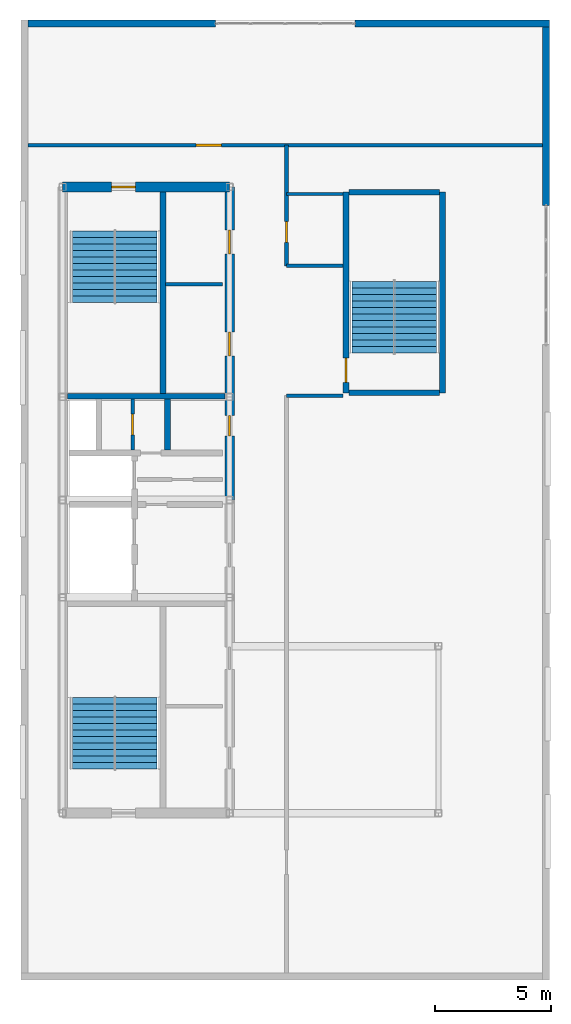
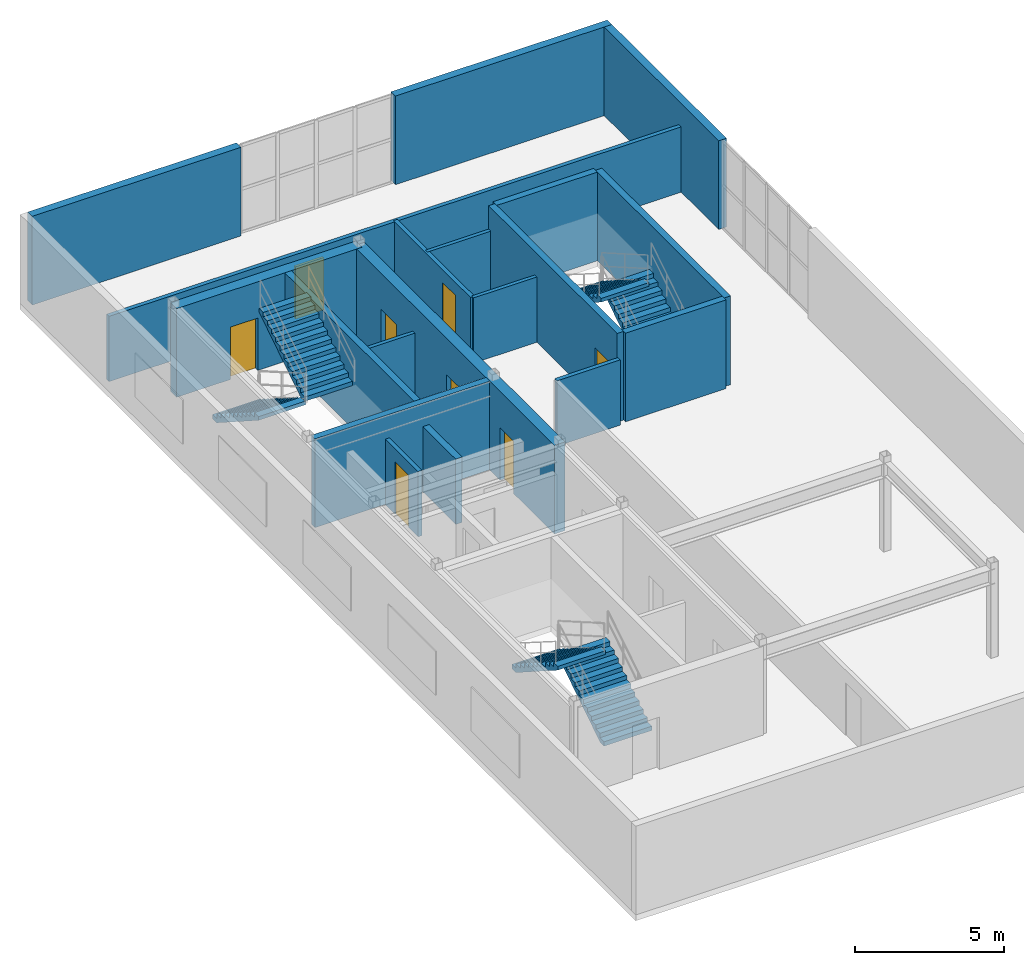
# One storey, part 6 of 7: 19 walls, 8 doors, 6 stair flights, 8 openings, 3 elements without a shape of their own.
"""IFC4 building model written with IfcOpenShell, lengths in metres."""

from ifc_helpers import new_model, entity, si_unit, converted_unit, direction, frame, origin_with_axes, origin_2d_with_axis, place, context, subcontext, project, spatial, polyline, rectangle, outline, extrude, material, layer, layer_set, type_object, element, fill, aggregate, save


model = new_model("IFC4")

# Units and contexts
model_context = context("Model", 3, precision=1e-05, world=origin_with_axes(), true_north=direction((0.0, 1.0)))
body_context = subcontext(model_context, "Body", "Model", "MODEL_VIEW")
ifc_project = project(units=[si_unit("LENGTHUNIT", "METRE"), si_unit("AREAUNIT", "SQUARE_METRE"), si_unit("VOLUMEUNIT", "CUBIC_METRE"), converted_unit("PLANEANGLEUNIT", "DEGREE", entity("IfcPlaneAngleMeasure", 0.017453292519943295), si_unit("PLANEANGLEUNIT", "RADIAN"), dimensions=[0, 0, 0, 0, 0, 0, 0]), si_unit("MASSUNIT", "GRAM", prefix="KILO"), si_unit("THERMODYNAMICTEMPERATUREUNIT", "KELVIN")], contexts=[model_context])

# Site, building, storey
site_placement = place(None, origin_with_axes())
site = spatial("IfcSite", under=ifc_project, at=site_placement, CompositionType="ELEMENT")
building_placement = place(site_placement, origin_with_axes())
building = spatial("IfcBuilding", under=site, at=building_placement, Name="Varnlund Millrace Tower", CompositionType="ELEMENT")
storey_placement = place(building_placement, frame((0.0, 0.0, 312.6), z_axis=(0.0, 0.0, 1.0), x_axis=(1.0, 0.0, 0.0)))
storey = spatial("IfcBuildingStorey", under=building, at=storey_placement, Name="L77", CompositionType="ELEMENT", Elevation=312.6)

# Wall, opening, door
ifc_material_1 = material(Name="Concrete C60/75", Category="concrete")
ifc_layer_1 = layer(ifc_material_1, 0.42, Name="Concrete C60/75")
ifc_layer_set_1 = layer_set([ifc_layer_1], Name="Concrete C60/75")
wall_type_1 = type_object("IfcWallType", Name="Type-CoreWall-Shear-420-C60", PredefinedType="SHEAR", material=ifc_layer_set_1)
wall_1_placement = place(storey_placement, frame((11.4, 37.8, 0.0), z_axis=(0.0, 0.0, 1.0), x_axis=(1.0, 0.0, 0.0)))
wall_1 = element("IfcWall", 1, at=wall_1_placement, inside=storey, type_object=wall_type_1, Name="Type-CoreWall-Shear-420-C60", PredefinedType="SHEAR", context=body_context, shape_type="SweptSolid", body=[
    extrude(outline(polyline([(0.0, -0.21), (7.2, -0.21), (7.2, 0.21), (0.0, 0.21), (0.0, -0.21)])), origin_with_axes(), (0.0, 0.0, 1.0), 3.64),
])
opening_1_placement = place(wall_1_placement, frame((2.625, 0.0, 0.0), z_axis=(0.0, 0.0, 1.0), x_axis=(1.0, 0.0, 0.0)))
opening_1 = element("IfcOpeningElement", 2, at=opening_1_placement, cuts=wall_1, Name="Opening L77:DR-STA2", PredefinedType="OPENING", context=body_context, shape_type="SweptSolid", body=[
    extrude(rectangle(XDim=1.05, YDim=0.44, at=origin_2d_with_axis()), origin_with_axes(), (0.0, 0.0, 1.0), 2.15),
])
ifc_material_2 = material(Name="Fire-rated hollow steel door", Category="steel")
door_type_1 = type_object("IfcDoorType", Name="Type-FireDoor-Stair-1050X2150", OperationType="NOTDEFINED", PredefinedType="DOOR", material=ifc_material_2)
door_1_placement = place(wall_1_placement, frame((2.625, 0.0, 0.0), z_axis=(0.0, 0.0, 1.0), x_axis=(1.0, 0.0, 0.0)))
door_1 = element("IfcDoor", 3, at=door_1_placement, inside=storey, type_object=door_type_1, Name="Type-FireDoor-Stair-1050X2150", OperationType="SINGLE_SWING_RIGHT", OverallHeight=2.15, OverallWidth=1.05, PredefinedType="DOOR", context=body_context, shape_type="SweptSolid", body=[
    extrude(rectangle(XDim=1.05, YDim=0.09, at=origin_2d_with_axis()), origin_with_axes(), (0.0, 0.0, 1.0), 2.15),
])
fill(opening_1, door_1)

# Wall, openings, doors
wall_2_placement = place(storey_placement, frame((18.6, 24.3, 0.0), z_axis=(0.0, 0.0, 1.0), x_axis=(0.0, 1.0, 0.0)))
wall_2 = element("IfcWall", 4, at=wall_2_placement, inside=storey, type_object=wall_type_1, Name="Type-CoreWall-Shear-420-C60", PredefinedType="SHEAR", context=body_context, shape_type="SweptSolid", body=[
    extrude(outline(polyline([(0.0, -0.21), (13.5, -0.21), (13.5, 0.21), (0.0, 0.21), (0.0, -0.21)])), origin_with_axes(), (0.0, 0.0, 1.0), 3.64),
])
opening_2_placement = place(wall_2_placement, frame((3.2, 0.0, 0.0), z_axis=(0.0, 0.0, 1.0), x_axis=(1.0, 0.0, 0.0)))
opening_2 = element("IfcOpeningElement", 5, at=opening_2_placement, cuts=wall_2, Name="Opening L77:DR-ROB", PredefinedType="OPENING", context=body_context, shape_type="SweptSolid", body=[
    extrude(rectangle(XDim=0.9, YDim=0.44, at=origin_2d_with_axis()), origin_with_axes(), (0.0, 0.0, 1.0), 2.15),
])
opening_3_placement = place(wall_2_placement, frame((6.725, 0.0, 0.0), z_axis=(0.0, 0.0, 1.0), x_axis=(1.0, 0.0, 0.0)))
opening_3 = element("IfcOpeningElement", 6, at=opening_3_placement, cuts=wall_2, Name="Opening L77:DR-RECL-M1", PredefinedType="OPENING", context=body_context, shape_type="SweptSolid", body=[
    extrude(rectangle(XDim=1.05, YDim=0.44, at=origin_2d_with_axis()), origin_with_axes(), (0.0, 0.0, 1.0), 2.15),
])
opening_4_placement = place(wall_2_placement, frame((11.125, 0.0, 0.0), z_axis=(0.0, 0.0, 1.0), x_axis=(1.0, 0.0, 0.0)))
opening_4 = element("IfcOpeningElement", 7, at=opening_4_placement, cuts=wall_2, Name="Opening L77:DR-RECL-M2", PredefinedType="OPENING", context=body_context, shape_type="SweptSolid", body=[
    extrude(rectangle(XDim=1.05, YDim=0.44, at=origin_2d_with_axis()), origin_with_axes(), (0.0, 0.0, 1.0), 2.15),
])
ifc_material_3 = material(Name="Fire-rated hollow steel service closet door", Category="steel")
door_type_2 = type_object("IfcDoorType", Name="Type-FireDoor-Closet-900X2150", OperationType="NOTDEFINED", PredefinedType="DOOR", material=ifc_material_3)
door_2_placement = place(wall_2_placement, frame((3.2, 0.0, 0.0), z_axis=(0.0, 0.0, 1.0), x_axis=(1.0, 0.0, 0.0)))
door_2 = element("IfcDoor", 8, at=door_2_placement, inside=storey, type_object=door_type_2, Name="Type-FireDoor-Closet-900X2150", OperationType="SINGLE_SWING_RIGHT", OverallHeight=2.15, OverallWidth=0.9, PredefinedType="DOOR", context=body_context, shape_type="SweptSolid", body=[
    extrude(rectangle(XDim=0.9, YDim=0.09, at=origin_2d_with_axis()), origin_with_axes(), (0.0, 0.0, 1.0), 2.15),
])
fill(opening_2, door_2)
ifc_material_4 = material(Name="Smoke-barrier hollow steel fire door", Category="steel")
door_type_3 = type_object("IfcDoorType", Name="Type-FireDoor-Lobby-1050X2150", OperationType="NOTDEFINED", PredefinedType="DOOR", material=ifc_material_4)
door_3_placement = place(wall_2_placement, frame((6.725, 0.0, 0.0), z_axis=(0.0, 0.0, 1.0), x_axis=(1.0, 0.0, 0.0)))
door_3 = element("IfcDoor", 9, at=door_3_placement, inside=storey, type_object=door_type_3, Name="Type-FireDoor-Lobby-1050X2150", OperationType="SINGLE_SWING_LEFT", OverallHeight=2.15, OverallWidth=1.05, PredefinedType="DOOR", context=body_context, shape_type="SweptSolid", body=[
    extrude(rectangle(XDim=1.05, YDim=0.09, at=origin_2d_with_axis()), origin_with_axes(), (0.0, 0.0, 1.0), 2.15),
])
fill(opening_3, door_3)
door_4_placement = place(wall_2_placement, frame((11.125, 0.0, 0.0), z_axis=(0.0, 0.0, 1.0), x_axis=(1.0, 0.0, 0.0)))
door_4 = element("IfcDoor", 10, at=door_4_placement, inside=storey, type_object=door_type_3, Name="Type-FireDoor-Lobby-1050X2150", OperationType="SINGLE_SWING_RIGHT", OverallHeight=2.15, OverallWidth=1.05, PredefinedType="DOOR", context=body_context, shape_type="SweptSolid", body=[
    extrude(rectangle(XDim=1.05, YDim=0.09, at=origin_2d_with_axis()), origin_with_axes(), (0.0, 0.0, 1.0), 2.15),
])
fill(opening_4, door_4)

# Walls
ifc_material_5 = material(Name="Precast concrete C50/60", Category="concrete")
ifc_layer_2 = layer(ifc_material_5, 0.3, Name="Precast concrete C50/60")
ifc_layer_set_2 = layer_set([ifc_layer_2], Name="Precast concrete C50/60")
wall_type_2 = type_object("IfcWallType", Name="Type-ExtWall-Precast-Crown-300", PredefinedType="SOLIDWALL", material=ifc_layer_set_2)
wall_3_placement = place(storey_placement, frame((9.9, 44.85, 0.0), z_axis=(0.0, 0.0, 1.0), x_axis=(1.0, 0.0, 0.0)))
element("IfcWall", 11, at=wall_3_placement, inside=storey, type_object=wall_type_2, Name="Type-ExtWall-Precast-Crown-300", PredefinedType="SOLIDWALL", context=body_context, shape_type="SweptSolid", body=[
    extrude(outline(polyline([(0.0, -0.15), (8.1, -0.15), (8.1, 0.15), (0.0, 0.15), (0.0, -0.15)])), origin_with_axes(), (0.0, 0.0, 1.0), 3.64),
])
wall_4_placement = place(storey_placement, frame((24.0, 44.85, 0.0), z_axis=(0.0, 0.0, 1.0), x_axis=(1.0, 0.0, 0.0)))
element("IfcWall", 12, at=wall_4_placement, inside=storey, type_object=wall_type_2, Name="Type-ExtWall-Precast-Crown-300", PredefinedType="SOLIDWALL", context=body_context, shape_type="SweptSolid", body=[
    extrude(outline(polyline([(0.0, -0.15), (8.4, -0.15), (8.4, 0.15), (0.0, 0.15), (0.0, -0.15)])), origin_with_axes(), (0.0, 0.0, 1.0), 3.64),
])
wall_5_placement = place(storey_placement, frame((32.25, 44.7, 0.0), z_axis=(0.0, 0.0, 1.0), x_axis=(0.0, -1.0, 0.0)))
element("IfcWall", 13, at=wall_5_placement, inside=storey, type_object=wall_type_2, Name="Type-ExtWall-Precast-Crown-300", PredefinedType="SOLIDWALL", context=body_context, shape_type="SweptSolid", body=[
    extrude(outline(polyline([(0.0, -0.15), (7.7, -0.15), (7.7, 0.15), (0.0, 0.15), (0.0, -0.15)])), origin_with_axes(), (0.0, 0.0, 1.0), 3.64),
])

# Wall, opening, door
ifc_material_6 = material(Name="Fire-rated gypsum board on cold-formed steel framing", Category="steel")
ifc_layer_3 = layer(ifc_material_6, 0.16, Name="Fire-rated gypsum board on cold-formed steel framing")
ifc_layer_set_3 = layer_set([ifc_layer_3], Name="Fire-rated gypsum board on cold-formed steel framing")
wall_type_3 = type_object("IfcWallType", Name="Type-Partition-Corridor-160", PredefinedType="PARTITIONING", material=ifc_layer_set_3)
wall_6_placement = place(storey_placement, frame((14.42, 26.45, 0.0), z_axis=(0.0, 0.0, 1.0), x_axis=(0.0, 1.0, 0.0)))
wall_6 = element("IfcWall", 14, at=wall_6_placement, inside=storey, type_object=wall_type_3, Name="Type-Partition-Corridor-160", PredefinedType="PARTITIONING", context=body_context, shape_type="SweptSolid", body=[
    extrude(outline(polyline([(0.0, -0.08), (2.2, -0.08), (2.2, 0.08), (0.0, 0.08), (0.0, -0.08)])), origin_with_axes(), (0.0, 0.0, 1.0), 2.68),
])
opening_5_placement = place(wall_6_placement, frame((1.1, 0.0, 0.0), z_axis=(0.0, 0.0, 1.0), x_axis=(1.0, 0.0, 0.0)))
opening_5 = element("IfcOpeningElement", 15, at=opening_5_placement, cuts=wall_6, Name="Opening L77:DR-CA-EL2", PredefinedType="OPENING", context=body_context, shape_type="SweptSolid", body=[
    extrude(rectangle(XDim=0.9, YDim=0.18, at=origin_2d_with_axis()), origin_with_axes(), (0.0, 0.0, 1.0), 2.15),
])
ifc_material_7 = material(Name="Painted steel riser and closet door", Category="steel")
door_type_4 = type_object("IfcDoorType", Name="Type-IntDoor-Closet-900X2150", OperationType="NOTDEFINED", PredefinedType="DOOR", material=ifc_material_7)
door_5_placement = place(wall_6_placement, frame((1.1, 0.0, 0.0), z_axis=(0.0, 0.0, 1.0), x_axis=(1.0, 0.0, 0.0)))
door_5 = element("IfcDoor", 16, at=door_5_placement, inside=storey, type_object=door_type_4, Name="Type-IntDoor-Closet-900X2150", OperationType="SINGLE_SWING_LEFT", OverallHeight=2.15, OverallWidth=0.9, PredefinedType="DOOR", context=body_context, shape_type="SweptSolid", body=[
    extrude(rectangle(XDim=0.9, YDim=0.09, at=origin_2d_with_axis()), origin_with_axes(), (0.0, 0.0, 1.0), 2.15),
])
fill(opening_5, door_5)

wall_7_placement = place(storey_placement, frame((21.05, 34.4, 0.0), z_axis=(0.0, 0.0, 1.0), x_axis=(0.0, 1.0, 0.0)))
wall_7 = element("IfcWall", 17, at=wall_7_placement, inside=storey, type_object=wall_type_3, Name="Type-Partition-Corridor-160", PredefinedType="PARTITIONING", context=body_context, shape_type="SweptSolid", body=[
    extrude(outline(polyline([(0.0, -0.08), (5.2, -0.08), (5.2, 0.08), (0.0, 0.08), (0.0, -0.08)])), origin_with_axes(), (0.0, 0.0, 1.0), 2.68),
])
opening_6_placement = place(wall_7_placement, frame((1.45, 0.0, 0.0), z_axis=(0.0, 0.0, 1.0), x_axis=(1.0, 0.0, 0.0)))
opening_6 = element("IfcOpeningElement", 18, at=opening_6_placement, cuts=wall_7, Name="Opening L77:DR-CRN-WC", PredefinedType="OPENING", context=body_context, shape_type="SweptSolid", body=[
    extrude(rectangle(XDim=0.9, YDim=0.18, at=origin_2d_with_axis()), origin_with_axes(), (0.0, 0.0, 1.0), 2.15),
])
door_6_placement = place(wall_7_placement, frame((1.45, 0.0, 0.0), z_axis=(0.0, 0.0, 1.0), x_axis=(1.0, 0.0, 0.0)))
door_6 = element("IfcDoor", 19, at=door_6_placement, inside=storey, type_object=door_type_4, Name="Type-IntDoor-Closet-900X2150", OperationType="SINGLE_SWING_LEFT", OverallHeight=2.15, OverallWidth=0.9, PredefinedType="DOOR", context=body_context, shape_type="SweptSolid", body=[
    extrude(rectangle(XDim=0.9, YDim=0.09, at=origin_2d_with_axis()), origin_with_axes(), (0.0, 0.0, 1.0), 2.15),
])
fill(opening_6, door_6)

# Wall
wall_8_placement = place(storey_placement, frame((21.05, 28.8, 0.0), z_axis=(0.0, 0.0, 1.0), x_axis=(1.0, 0.0, 0.0)))
element("IfcWall", 20, at=wall_8_placement, inside=storey, type_object=wall_type_3, Name="Type-Partition-Corridor-160", PredefinedType="PARTITIONING", context=body_context, shape_type="SweptSolid", body=[
    extrude(outline(polyline([(0.0, -0.08), (2.45, -0.08), (2.45, 0.08), (0.0, 0.08), (0.0, -0.08)])), origin_with_axes(), (0.0, 0.0, 1.0), 2.68),
])

# Wall, opening, door
wall_9_placement = place(storey_placement, frame((9.895, 39.6, 0.0), z_axis=(0.0, 0.0, 1.0), x_axis=(1.0, 0.0, 0.0)))
wall_9 = element("IfcWall", 21, at=wall_9_placement, inside=storey, type_object=wall_type_3, Name="Type-Partition-Corridor-160", PredefinedType="PARTITIONING", context=body_context, shape_type="SweptSolid", body=[
    extrude(outline(polyline([(0.0, -0.08), (22.21, -0.08), (22.21, 0.08), (0.0, 0.08), (0.0, -0.08)])), origin_with_axes(), (0.0, 0.0, 1.0), 2.68),
])
opening_7_placement = place(wall_9_placement, frame((7.805, 0.0, 0.0), z_axis=(0.0, 0.0, 1.0), x_axis=(1.0, 0.0, 0.0)))
opening_7 = element("IfcOpeningElement", 22, at=opening_7_placement, cuts=wall_9, Name="Opening L77:DR-CRN-SWG", PredefinedType="OPENING", context=body_context, shape_type="SweptSolid", body=[
    extrude(rectangle(XDim=1.1, YDim=0.18, at=origin_2d_with_axis()), origin_with_axes(), (0.0, 0.0, 1.0), 2.15),
])
ifc_material_8 = material(Name="Fire-rated mechanical room steel door", Category="steel")
door_type_5 = type_object("IfcDoorType", Name="Type-FireDoor-Plant-1100X2150", OperationType="NOTDEFINED", PredefinedType="DOOR", material=ifc_material_8)
door_7_placement = place(wall_9_placement, frame((7.805, 0.0, 0.0), z_axis=(0.0, 0.0, 1.0), x_axis=(1.0, 0.0, 0.0)))
door_7 = element("IfcDoor", 23, at=door_7_placement, inside=storey, type_object=door_type_5, Name="Type-FireDoor-Plant-1100X2150", OperationType="SINGLE_SWING_LEFT", OverallHeight=2.15, OverallWidth=1.1, PredefinedType="DOOR", context=body_context, shape_type="SweptSolid", body=[
    extrude(rectangle(XDim=1.1, YDim=0.09, at=origin_2d_with_axis()), origin_with_axes(), (0.0, 0.0, 1.0), 2.15),
])
fill(opening_7, door_7)

# Walls
ifc_material_9 = material(Name="Moisture-resistant gypsum restroom partition", Category="gypsum")
ifc_layer_4 = layer(ifc_material_9, 0.14, Name="Moisture-resistant gypsum restroom partition")
ifc_layer_set_4 = layer_set([ifc_layer_4], Name="Moisture-resistant gypsum restroom partition")
wall_type_4 = type_object("IfcWallType", Name="Type-Partition-Wet-140", PredefinedType="PARTITIONING", material=ifc_layer_set_4)
wall_10_placement = place(storey_placement, frame((15.84, 33.6, 0.0), z_axis=(0.0, 0.0, 1.0), x_axis=(1.0, 0.0, 0.0)))
element("IfcWall", 24, at=wall_10_placement, inside=storey, type_object=wall_type_4, Name="Type-Partition-Wet-140", PredefinedType="PARTITIONING", context=body_context, shape_type="SweptSolid", body=[
    extrude(outline(polyline([(0.0, -0.07), (2.46, -0.07), (2.46, 0.07), (0.0, 0.07), (0.0, -0.07)])), origin_with_axes(), (0.0, 0.0, 1.0), 2.68),
])
for number, where, z_axis, x_axis, name in (
    (25, (21.05, 34.4, 0.0), (0.0, 0.0, 1.0), (1.0, 0.0, 0.0), "Type-Partition-Wet-140"),
    (26, (21.05, 37.5, 0.0), (0.0, 0.0, 1.0), (1.0, 0.0, 0.0), "Type-Partition-Wet-140"),
):
    element("IfcWall", number, at=place(storey_placement, frame(where, z_axis=z_axis, x_axis=x_axis)), inside=storey, type_object=wall_type_4, Name=name, PredefinedType="PARTITIONING", context=body_context, shape_type="SweptSolid", body=[
        extrude(outline(polyline([(0.0, -0.07), (2.45, -0.07), (2.45, 0.07), (0.0, 0.07), (0.0, -0.07)])), origin_with_axes(), (0.0, 0.0, 1.0), 2.68),
    ])
ifc_layer_5 = layer(ifc_material_1, 0.25, Name="Concrete C60/75")
ifc_layer_set_5 = layer_set([ifc_layer_5], Name="Concrete C60/75")
wall_type_5 = type_object("IfcWallType", Name="Type-ShaftWall-Fire-250", PredefinedType="SOLIDWALL", material=ifc_layer_set_5)
wall_11_placement = place(storey_placement, frame((15.925, 26.45, 0.0), z_axis=(0.0, 0.0, 1.0), x_axis=(0.0, 1.0, 0.0)))
element("IfcWall", 27, at=wall_11_placement, inside=storey, type_object=wall_type_5, Name="Type-ShaftWall-Fire-250", PredefinedType="SOLIDWALL", context=body_context, shape_type="SweptSolid", body=[
    extrude(outline(polyline([(0.0, -0.125), (2.2, -0.125), (2.2, 0.125), (0.0, 0.125), (0.0, -0.125)])), origin_with_axes(), (0.0, 0.0, 1.0), 2.68),
])
wall_type_6 = type_object("IfcWallType", Name="Type-StairWall-Shear-250", PredefinedType="SHEAR", material=ifc_layer_set_5)
wall_12_placement = place(storey_placement, frame((15.725, 28.9, 0.0), z_axis=(0.0, 0.0, 1.0), x_axis=(0.0, 1.0, 0.0)))
element("IfcWall", 28, at=wall_12_placement, inside=storey, type_object=wall_type_6, Name="Type-StairWall-Shear-250", PredefinedType="SHEAR", context=body_context, shape_type="SweptSolid", body=[
    extrude(outline(polyline([(0.0, -0.125), (8.69, -0.125), (8.69, 0.125), (0.0, 0.125), (0.0, -0.125)])), origin_with_axes(), (0.0, 0.0, 1.0), 3.64),
])
wall_13_placement = place(storey_placement, frame((11.61, 28.775, 0.0), z_axis=(0.0, 0.0, 1.0), x_axis=(1.0, 0.0, 0.0)))
element("IfcWall", 29, at=wall_13_placement, inside=storey, type_object=wall_type_6, Name="Type-StairWall-Shear-250", PredefinedType="SHEAR", context=body_context, shape_type="SweptSolid", body=[
    extrude(outline(polyline([(0.0, -0.125), (6.78, -0.125), (6.78, 0.125), (0.0, 0.125), (0.0, -0.125)])), origin_with_axes(), (0.0, 0.0, 1.0), 3.64),
])

# Wall, opening, door
wall_14_placement = place(storey_placement, frame((23.625, 28.925, 0.0), z_axis=(0.0, 0.0, 1.0), x_axis=(0.0, 1.0, 0.0)))
wall_14 = element("IfcWall", 30, at=wall_14_placement, inside=storey, type_object=wall_type_6, Name="Type-StairWall-Shear-250", PredefinedType="SHEAR", context=body_context, shape_type="SweptSolid", body=[
    extrude(outline(polyline([(0.0, -0.125), (8.65, -0.125), (8.65, 0.125), (0.0, 0.125), (0.0, -0.125)])), origin_with_axes(), (0.0, 0.0, 1.0), 3.64),
])
opening_8_placement = place(wall_14_placement, frame((0.975, 0.0, 0.0), z_axis=(0.0, 0.0, 1.0), x_axis=(1.0, 0.0, 0.0)))
opening_8 = element("IfcOpeningElement", 31, at=opening_8_placement, cuts=wall_14, Name="Opening L77:DR-STA3", PredefinedType="OPENING", context=body_context, shape_type="SweptSolid", body=[
    extrude(rectangle(XDim=1.05, YDim=0.27, at=origin_2d_with_axis()), origin_with_axes(), (0.0, 0.0, 1.0), 2.15),
])
door_8_placement = place(wall_14_placement, frame((0.975, 0.0, 0.0), z_axis=(0.0, 0.0, 1.0), x_axis=(1.0, 0.0, 0.0)))
door_8 = element("IfcDoor", 32, at=door_8_placement, inside=storey, type_object=door_type_1, Name="Type-FireDoor-Stair-1050X2150", OperationType="SINGLE_SWING_LEFT", OverallHeight=2.15, OverallWidth=1.05, PredefinedType="DOOR", context=body_context, shape_type="SweptSolid", body=[
    extrude(rectangle(XDim=1.05, YDim=0.09, at=origin_2d_with_axis()), origin_with_axes(), (0.0, 0.0, 1.0), 2.15),
])
fill(opening_8, door_8)

# Walls
wall_15_placement = place(storey_placement, frame((27.775, 28.925, 0.0), z_axis=(0.0, 0.0, 1.0), x_axis=(0.0, 1.0, 0.0)))
element("IfcWall", 33, at=wall_15_placement, inside=storey, type_object=wall_type_6, Name="Type-StairWall-Shear-250", PredefinedType="SHEAR", context=body_context, shape_type="SweptSolid", body=[
    extrude(outline(polyline([(0.0, -0.125), (8.65, -0.125), (8.65, 0.125), (0.0, 0.125), (0.0, -0.125)])), origin_with_axes(), (0.0, 0.0, 1.0), 3.64),
])
for number, where, z_axis, x_axis, name in (
    (34, (23.75, 28.925, 0.0), (0.0, 0.0, 1.0), (1.0, 0.0, 0.0), "Type-StairWall-Shear-250"),
    (35, (23.75, 37.575, 0.0), (0.0, 0.0, 1.0), (1.0, 0.0, 0.0), "Type-StairWall-Shear-250"),
):
    element("IfcWall", number, at=place(storey_placement, frame(where, z_axis=z_axis, x_axis=x_axis)), inside=storey, type_object=wall_type_6, Name=name, PredefinedType="SHEAR", context=body_context, shape_type="SweptSolid", body=[
        extrude(outline(polyline([(0.0, -0.125), (3.9, -0.125), (3.9, 0.125), (0.0, 0.125), (0.0, -0.125)])), origin_with_axes(), (0.0, 0.0, 1.0), 3.64),
    ])

# Stair, stair flights
ifc_material_10 = material(Name="Concrete C50/60", Category="concrete")
stair_type = type_object("IfcStairType", Name="Type-Stair-Dogleg-185-390", PredefinedType="HALF_TURN_STAIR", material=ifc_material_10)
stair_1_placement = place(storey_placement, origin_with_axes())
stair_1 = element("IfcStair", 36, at=stair_1_placement, inside=storey, type_object=stair_type, Name="Type-Stair-Dogleg-185-390", PredefinedType="HALF_TURN_STAIR")
stair_flight_type = type_object("IfcStairFlightType", Name="Type-Dogleg-Run-185-390", PredefinedType="STRAIGHT", material=ifc_material_5)
stair_flight_1_placement = place(storey_placement, frame((13.625, 12.7, 0.0), z_axis=(1.0, 0.0, 0.0), x_axis=(0.0, 1.0, 0.0)))
stair_flight_1 = element("IfcStairFlight", 37, at=stair_flight_1_placement, type_object=stair_flight_type, Name="ST-A1 flight 1", NumberOfRisers=11, NumberOfTreads=11, PredefinedType="STRAIGHT", RiserHeight=0.177273, TreadLength=0.28, context=body_context, shape_type="SweptSolid", body=[
    extrude(outline(polyline([(0.0, 0.0), (0.0, 0.177273), (0.28, 0.177273), (0.28, 0.354545), (0.56, 0.354545), (0.56, 0.531818), (0.84, 0.531818), (0.84, 0.709091), (1.12, 0.709091), (1.12, 0.886364), (1.4, 0.886364), (1.4, 1.063636), (1.68, 1.063636), (1.68, 1.240909), (1.96, 1.240909), (1.96, 1.418182), (2.24, 1.418182), (2.24, 1.595454), (2.52, 1.595454), (2.52, 1.772727), (2.8, 1.772727), (2.8, 1.95), (3.08, 1.95), (3.08, 1.8), (0.28, 0.0), (0.0, 0.0)])), origin_with_axes(), (0.0, 0.0, 1.0), 1.85),
])
stair_flight_2_placement = place(storey_placement, frame((13.675, 15.78, 1.95), z_axis=(-1.0, 0.0, 0.0), x_axis=(0.0, -1.0, 0.0)))
stair_flight_2 = element("IfcStairFlight", 38, at=stair_flight_2_placement, type_object=stair_flight_type, Name="ST-A1 flight 2", NumberOfRisers=11, NumberOfTreads=11, PredefinedType="STRAIGHT", RiserHeight=0.177273, TreadLength=0.28, context=body_context, shape_type="SweptSolid", body=[
    extrude(outline(polyline([(0.0, 0.0), (0.0, 0.177273), (0.28, 0.177273), (0.28, 0.354545), (0.56, 0.354545), (0.56, 0.531818), (0.84, 0.531818), (0.84, 0.709091), (1.12, 0.709091), (1.12, 0.886364), (1.4, 0.886364), (1.4, 1.063636), (1.68, 1.063636), (1.68, 1.240909), (1.96, 1.240909), (1.96, 1.418182), (2.24, 1.418182), (2.24, 1.595454), (2.52, 1.595454), (2.52, 1.772727), (2.8, 1.772727), (2.8, 1.95), (3.08, 1.95), (3.08, 1.8), (0.28, 0.0), (0.0, 0.0)])), origin_with_axes(), (0.0, 0.0, 1.0), 1.85),
])
aggregate(stair_1, [stair_flight_1, stair_flight_2])

stair_2_placement = place(storey_placement, origin_with_axes())
stair_2 = element("IfcStair", 39, at=stair_2_placement, inside=storey, type_object=stair_type, Name="Type-Stair-Dogleg-185-390", PredefinedType="HALF_TURN_STAIR")
stair_flight_3_placement = place(storey_placement, frame((13.675, 35.9, 0.0), z_axis=(-1.0, 0.0, 0.0), x_axis=(0.0, -1.0, 0.0)))
stair_flight_3 = element("IfcStairFlight", 40, at=stair_flight_3_placement, type_object=stair_flight_type, Name="ST-A2 flight 1", NumberOfRisers=11, NumberOfTreads=11, PredefinedType="STRAIGHT", RiserHeight=0.177273, TreadLength=0.28, context=body_context, shape_type="SweptSolid", body=[
    extrude(outline(polyline([(0.0, 0.0), (0.0, 0.177273), (0.28, 0.177273), (0.28, 0.354545), (0.56, 0.354545), (0.56, 0.531818), (0.84, 0.531818), (0.84, 0.709091), (1.12, 0.709091), (1.12, 0.886364), (1.4, 0.886364), (1.4, 1.063636), (1.68, 1.063636), (1.68, 1.240909), (1.96, 1.240909), (1.96, 1.418182), (2.24, 1.418182), (2.24, 1.595454), (2.52, 1.595454), (2.52, 1.772727), (2.8, 1.772727), (2.8, 1.95), (3.08, 1.95), (3.08, 1.8), (0.28, 0.0), (0.0, 0.0)])), origin_with_axes(), (0.0, 0.0, 1.0), 1.85),
])
stair_flight_4_placement = place(storey_placement, frame((13.625, 32.82, 1.95), z_axis=(1.0, 0.0, 0.0), x_axis=(0.0, 1.0, 0.0)))
stair_flight_4 = element("IfcStairFlight", 41, at=stair_flight_4_placement, type_object=stair_flight_type, Name="ST-A2 flight 2", NumberOfRisers=11, NumberOfTreads=11, PredefinedType="STRAIGHT", RiserHeight=0.177273, TreadLength=0.28, context=body_context, shape_type="SweptSolid", body=[
    extrude(outline(polyline([(0.0, 0.0), (0.0, 0.177273), (0.28, 0.177273), (0.28, 0.354545), (0.56, 0.354545), (0.56, 0.531818), (0.84, 0.531818), (0.84, 0.709091), (1.12, 0.709091), (1.12, 0.886364), (1.4, 0.886364), (1.4, 1.063636), (1.68, 1.063636), (1.68, 1.240909), (1.96, 1.240909), (1.96, 1.418182), (2.24, 1.418182), (2.24, 1.595454), (2.52, 1.595454), (2.52, 1.772727), (2.8, 1.772727), (2.8, 1.95), (3.08, 1.95), (3.08, 1.8), (0.28, 0.0), (0.0, 0.0)])), origin_with_axes(), (0.0, 0.0, 1.0), 1.85),
])
aggregate(stair_2, [stair_flight_3, stair_flight_4])

stair_3_placement = place(storey_placement, origin_with_axes())
stair_3 = element("IfcStair", 42, at=stair_3_placement, inside=storey, type_object=stair_type, Name="Type-Stair-Dogleg-185-390", PredefinedType="HALF_TURN_STAIR")
stair_flight_5_placement = place(storey_placement, frame((25.675, 30.65, 0.0), z_axis=(1.0, 0.0, 0.0), x_axis=(0.0, 1.0, 0.0)))
stair_flight_5 = element("IfcStairFlight", 43, at=stair_flight_5_placement, type_object=stair_flight_type, Name="ST-A3 flight 1", NumberOfRisers=11, NumberOfTreads=11, PredefinedType="STRAIGHT", RiserHeight=0.177273, TreadLength=0.28, context=body_context, shape_type="SweptSolid", body=[
    extrude(outline(polyline([(0.0, 0.0), (0.0, 0.177273), (0.28, 0.177273), (0.28, 0.354545), (0.56, 0.354545), (0.56, 0.531818), (0.84, 0.531818), (0.84, 0.709091), (1.12, 0.709091), (1.12, 0.886364), (1.4, 0.886364), (1.4, 1.063636), (1.68, 1.063636), (1.68, 1.240909), (1.96, 1.240909), (1.96, 1.418182), (2.24, 1.418182), (2.24, 1.595454), (2.52, 1.595454), (2.52, 1.772727), (2.8, 1.772727), (2.8, 1.95), (3.08, 1.95), (3.08, 1.8), (0.28, 0.0), (0.0, 0.0)])), origin_with_axes(), (0.0, 0.0, 1.0), 1.85),
])
stair_flight_6_placement = place(storey_placement, frame((25.725, 33.73, 1.95), z_axis=(-1.0, 0.0, 0.0), x_axis=(0.0, -1.0, 0.0)))
stair_flight_6 = element("IfcStairFlight", 44, at=stair_flight_6_placement, type_object=stair_flight_type, Name="ST-A3 flight 2", NumberOfRisers=11, NumberOfTreads=11, PredefinedType="STRAIGHT", RiserHeight=0.177273, TreadLength=0.28, context=body_context, shape_type="SweptSolid", body=[
    extrude(outline(polyline([(0.0, 0.0), (0.0, 0.177273), (0.28, 0.177273), (0.28, 0.354545), (0.56, 0.354545), (0.56, 0.531818), (0.84, 0.531818), (0.84, 0.709091), (1.12, 0.709091), (1.12, 0.886364), (1.4, 0.886364), (1.4, 1.063636), (1.68, 1.063636), (1.68, 1.240909), (1.96, 1.240909), (1.96, 1.418182), (2.24, 1.418182), (2.24, 1.595454), (2.52, 1.595454), (2.52, 1.772727), (2.8, 1.772727), (2.8, 1.95), (3.08, 1.95), (3.08, 1.8), (0.28, 0.0), (0.0, 0.0)])), origin_with_axes(), (0.0, 0.0, 1.0), 1.85),
])
aggregate(stair_3, [stair_flight_5, stair_flight_6])

save(model, "model.ifc")
